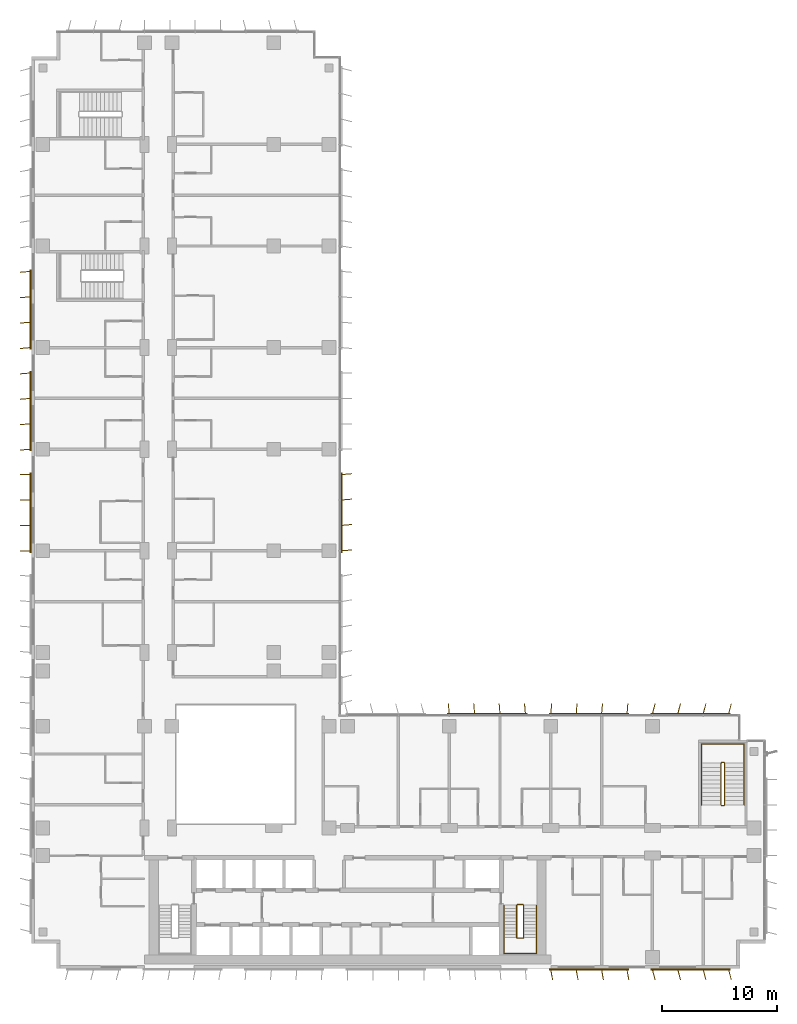
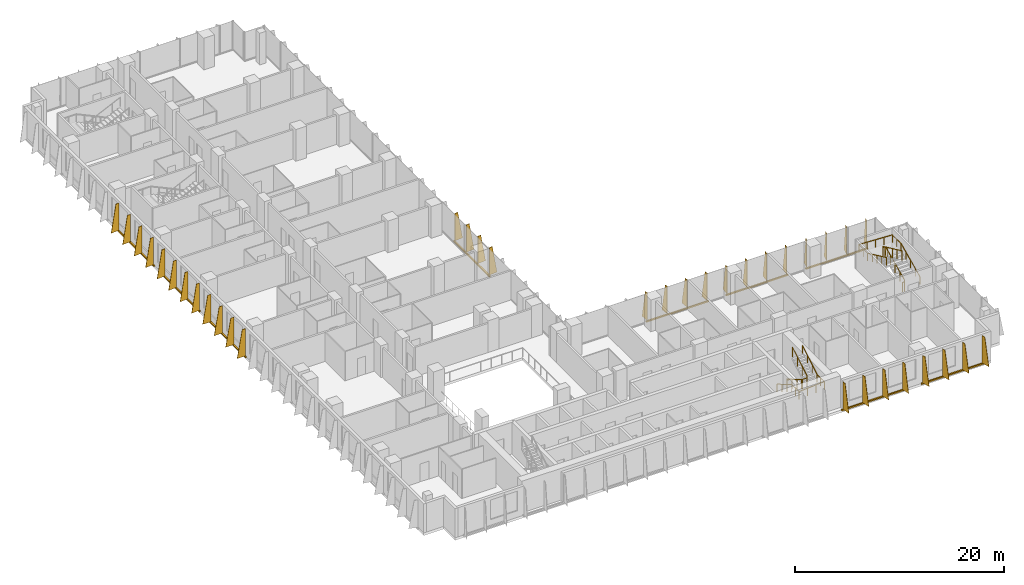
# One storey, part 21 of 23: 9 shading devices, 4 railings.
"""IFC4 building model written with IfcOpenShell, lengths in metres."""

from ifc_helpers import new_model, si_unit, direction, frame, origin, origin_2d, place, context, subcontext, project, spatial, polyline, rectangle, circle, outline, extrude, source, transform, mapped, material, layer, layer_set, type_object, element, save


model = new_model("IFC4")

# Units and contexts
model_context = context("Model", 3, precision=1e-05, world=origin(), true_north=direction((0.0, 1.0)))
body_context = subcontext(model_context, "Body", "Model", "MODEL_VIEW")
ifc_project = project(units=[si_unit("LENGTHUNIT", "METRE"), si_unit("AREAUNIT", "SQUARE_METRE"), si_unit("VOLUMEUNIT", "CUBIC_METRE"), si_unit("PLANEANGLEUNIT", "RADIAN"), si_unit("MASSUNIT", "GRAM", prefix="KILO")], contexts=[model_context])

# Site, building, storey
site_placement = place(None, origin())
site = spatial("IfcSite", under=ifc_project, at=site_placement, CompositionType="ELEMENT")
building_placement = place(site_placement, origin())
building = spatial("IfcBuilding", under=site, at=building_placement, Name="Kemantara Hotel Tower", CompositionType="ELEMENT")
storey_placement = place(building_placement, frame((0.0, 0.0, 114.800048828125)))
storey = spatial("IfcBuildingStorey", under=building, at=storey_placement, Name="L27", CompositionType="ELEMENT", Elevation=114.800048828125)

# Railings
ifc_material_1 = material(Name="Stainless steel balustrade", Category="steel")
railing_type_1 = type_object("IfcRailingType", Name="Stair guard 1100 mm", PredefinedType="GUARDRAIL", material=ifc_material_1)
railing_1_placement = place(storey_placement, frame((42.64990234375, 5.5, 3.699951171875)))
element("IfcRailing", 1, at=railing_1_placement, inside=storey, type_object=railing_type_1, Name="L27 ST2 stair guard 1", PredefinedType="GUARDRAIL", context=body_context, shape_type="SweptSolid", body=[
    extrude(circle(Radius=0.02392578125, at=origin_2d()), frame((0.0, 0.0, 1.076171875), z_axis=(0.0, -0.857242210791, -0.514913383045), x_axis=(1.0, 0.0, 0.0)), (0.0, 0.0, 1.0), 3.266357421875),
    extrude(circle(Radius=0.02392578125, at=origin_2d()), frame((0.0, -2.800048828125, -0.60595703125), z_axis=(-0.273006030465, -0.27434429532, -0.922064485248), x_axis=(0.708833529934, -0.705375805398, 0.0)), (0.0, 0.0, 1.0), 0.182373046875),
    extrude(circle(Radius=0.02392578125, at=origin_2d()), frame((-0.0498046875, -2.85009765625, -0.77392578125), z_axis=(-1.0, 0.0, 0.0), x_axis=(0.0, -1.0, 0.0)), (0.0, 0.0, 1.0), 0.5),
    extrude(circle(Radius=0.02392578125, at=origin_2d()), frame((-0.5498046875, -2.85009765625, -0.77392578125), z_axis=(-0.707106781187, 0.707106781187, 0.0), x_axis=(-0.707106781187, -0.707106781187, 0.0)), (0.0, 0.0, 1.0), 0.07080078125),
    extrude(circle(Radius=0.02392578125, at=origin_2d()), frame((-0.599853515625, -2.800048828125, -0.77392578125), z_axis=(0.0, 0.857275202839, -0.514858452973), x_axis=(-1.0, 0.0, 0.0)), (0.0, 0.0, 1.0), 3.26611328125),
    extrude(circle(Radius=0.02392578125, at=origin_2d()), frame((-0.599853515625, 0.0, -2.45556640625), z_axis=(0.274243871929, 0.274243871929, -0.92172696468), x_axis=(-0.707106781187, 0.707106781187, 0.0)), (0.0, 0.0, 1.0), 0.1826171875),
    extrude(circle(Radius=0.02392578125, at=origin_2d()), frame((-0.5498046875, 0.050048828125, -2.6240234375), z_axis=(1.0, 0.0, 0.0), x_axis=(0.0, 1.0, 0.0)), (0.0, 0.0, 1.0), 0.5),
    extrude(circle(Radius=0.02099609375, at=origin_2d()), origin(), (0.0, 0.0, 1.0), 1.052001953125),
    extrude(circle(Radius=0.02099609375, at=origin_2d()), frame((0.0, -0.933349609375, -0.560546875)), (0.0, 0.0, 1.0), 1.052001953125),
    extrude(circle(Radius=0.02099609375, at=origin_2d()), frame((0.0, -1.86669921875, -1.121337890625)), (0.0, 0.0, 1.0), 1.052001953125),
    extrude(circle(Radius=0.02099609375, at=origin_2d()), frame((0.0, -2.800048828125, -1.681884765625)), (0.0, 0.0, 1.0), 1.052001953125),
    extrude(circle(Radius=0.02099609375, at=origin_2d()), frame((-0.0498046875, -2.85009765625, -1.85009765625)), (0.0, 0.0, 1.0), 1.052001953125),
    extrude(circle(Radius=0.02099609375, at=origin_2d()), frame((-0.5498046875, -2.85009765625, -1.85009765625)), (0.0, 0.0, 1.0), 1.052001953125),
    extrude(circle(Radius=0.02099609375, at=origin_2d()), frame((-0.599853515625, -2.800048828125, -1.85009765625)), (0.0, 0.0, 1.0), 1.052001953125),
    extrude(circle(Radius=0.02099609375, at=origin_2d()), frame((-0.599853515625, -1.86669921875, -2.41064453125)), (0.0, 0.0, 1.0), 1.052001953125),
    extrude(circle(Radius=0.02099609375, at=origin_2d()), frame((-0.599853515625, -0.933349609375, -2.97119140625)), (0.0, 0.0, 1.0), 1.052001953125),
    extrude(circle(Radius=0.02099609375, at=origin_2d()), frame((-0.599853515625, 0.0, -3.53173828125)), (0.0, 0.0, 1.0), 1.052001953125),
    extrude(circle(Radius=0.02099609375, at=origin_2d()), frame((-0.5498046875, 0.050048828125, -3.699951171875)), (0.0, 0.0, 1.0), 1.052001953125),
    extrude(circle(Radius=0.02099609375, at=origin_2d()), frame((-0.0498046875, 0.050048828125, -3.699951171875)), (0.0, 0.0, 1.0), 1.052001953125),
])
railing_2_placement = place(storey_placement, frame((59.75, 14.199951171875, 3.699951171875)))
element("IfcRailing", 2, at=railing_2_placement, inside=storey, type_object=railing_type_1, Name="L27 ST3 stair guard 1", PredefinedType="GUARDRAIL", context=body_context, shape_type="SweptSolid", body=[
    extrude(circle(Radius=0.02392578125, at=origin_2d()), frame((0.0, 0.0, 1.076171875), z_axis=(0.0, 0.906005689286, -0.423265508849), x_axis=(-1.0, 0.0, 0.0)), (0.0, 0.0, 1.0), 3.9736328125),
    extrude(circle(Radius=0.02392578125, at=origin_2d()), frame((0.0, 3.60009765625, -0.60595703125), z_axis=(0.274243871929, 0.274243871929, -0.92172696468), x_axis=(-0.707106781187, 0.707106781187, 0.0)), (0.0, 0.0, 1.0), 0.1826171875),
    extrude(circle(Radius=0.02392578125, at=origin_2d()), frame((0.050048828125, 3.650146484375, -0.77392578125), z_axis=(1.0, 0.0, 0.0), x_axis=(0.0, 1.0, 0.0)), (0.0, 0.0, 1.0), 0.199951171875),
    extrude(circle(Radius=0.02392578125, at=origin_2d()), frame((0.25, 3.650146484375, -0.77392578125), z_axis=(0.707106781187, -0.707106781187, 0.0), x_axis=(0.707106781187, 0.707106781187, 0.0)), (0.0, 0.0, 1.0), 0.07080078125),
    extrude(circle(Radius=0.02392578125, at=origin_2d()), frame((0.300048828125, 3.60009765625, -0.77392578125), z_axis=(0.0, -0.906029249863, -0.423215073447), x_axis=(1.0, 0.0, 0.0)), (0.0, 0.0, 1.0), 3.973388671875),
    extrude(circle(Radius=0.02392578125, at=origin_2d()), frame((0.300048828125, 0.0, -2.45556640625), z_axis=(-0.274243871929, -0.274243871929, -0.92172696468), x_axis=(0.707106781187, -0.707106781187, 0.0)), (0.0, 0.0, 1.0), 0.1826171875),
    extrude(circle(Radius=0.02392578125, at=origin_2d()), frame((0.25, -0.050048828125, -2.6240234375), z_axis=(-1.0, 0.0, 0.0), x_axis=(0.0, -1.0, 0.0)), (0.0, 0.0, 1.0), 0.199951171875),
    extrude(circle(Radius=0.02099609375, at=origin_2d()), origin(), (0.0, 0.0, 1.0), 1.052001953125),
    extrude(circle(Radius=0.02099609375, at=origin_2d()), frame((0.0, 0.89990234375, -0.42041015625)), (0.0, 0.0, 1.0), 1.052001953125),
    extrude(circle(Radius=0.02099609375, at=origin_2d()), frame((0.0, 1.800048828125, -0.8408203125)), (0.0, 0.0, 1.0), 1.052001953125),
    extrude(circle(Radius=0.02099609375, at=origin_2d()), frame((0.0, 2.7001953125, -1.261474609375)), (0.0, 0.0, 1.0), 1.052001953125),
    extrude(circle(Radius=0.02099609375, at=origin_2d()), frame((0.0, 3.60009765625, -1.681884765625)), (0.0, 0.0, 1.0), 1.052001953125),
    extrude(circle(Radius=0.02099609375, at=origin_2d()), frame((0.050048828125, 3.650146484375, -1.85009765625)), (0.0, 0.0, 1.0), 1.052001953125),
    extrude(circle(Radius=0.02099609375, at=origin_2d()), frame((0.25, 3.650146484375, -1.85009765625)), (0.0, 0.0, 1.0), 1.052001953125),
    extrude(circle(Radius=0.02099609375, at=origin_2d()), frame((0.300048828125, 3.60009765625, -1.85009765625)), (0.0, 0.0, 1.0), 1.052001953125),
    extrude(circle(Radius=0.02099609375, at=origin_2d()), frame((0.300048828125, 2.7001953125, -2.2705078125)), (0.0, 0.0, 1.0), 1.052001953125),
    extrude(circle(Radius=0.02099609375, at=origin_2d()), frame((0.300048828125, 1.800048828125, -2.69091796875)), (0.0, 0.0, 1.0), 1.052001953125),
    extrude(circle(Radius=0.02099609375, at=origin_2d()), frame((0.300048828125, 0.89990234375, -3.111328125)), (0.0, 0.0, 1.0), 1.052001953125),
    extrude(circle(Radius=0.02099609375, at=origin_2d()), frame((0.300048828125, 0.0, -3.53173828125)), (0.0, 0.0, 1.0), 1.052001953125),
    extrude(circle(Radius=0.02099609375, at=origin_2d()), frame((0.25, -0.050048828125, -3.699951171875)), (0.0, 0.0, 1.0), 1.052001953125),
    extrude(circle(Radius=0.02099609375, at=origin_2d()), frame((0.050048828125, -0.050048828125, -3.699951171875)), (0.0, 0.0, 1.0), 1.052001953125),
])
railing_type_2 = type_object("IfcRailingType", Name="Stair handrail 900 mm", PredefinedType="HANDRAIL", material=ifc_material_1)
railing_3_placement = place(storey_placement, frame((40.949951171875, 5.5, 0.168212890625)))
element("IfcRailing", 3, at=railing_3_placement, inside=storey, type_object=railing_type_2, Name="L27 ST2 stair handrail 1", PredefinedType="HANDRAIL", context=body_context, shape_type="SweptSolid", body=[
    extrude(circle(Radius=0.02392578125, at=origin_2d()), frame((0.0, 0.0, 0.8759765625), z_axis=(0.0, -0.857275202839, 0.514858452973), x_axis=(1.0, 0.0, 0.0)), (0.0, 0.0, 1.0), 3.26611328125),
    extrude(circle(Radius=0.02392578125, at=origin_2d()), frame((0.0, -2.800048828125, 2.5576171875), z_axis=(0.0, -1.0, 0.0), x_axis=(1.0, 0.0, 0.0)), (0.0, 0.0, 1.0), 1.3798828125),
    extrude(circle(Radius=0.02392578125, at=origin_2d()), frame((0.0, -4.179931640625, 2.5576171875), z_axis=(0.998200367801, 0.0, 0.059966871865), x_axis=(0.0, 1.0, 0.0)), (0.0, 0.0, 1.0), 2.80517578125),
    extrude(circle(Radius=0.02392578125, at=origin_2d()), frame((2.800048828125, -4.179931640625, 2.7255859375), z_axis=(0.0, 1.0, 0.0), x_axis=(-1.0, 0.0, 0.0)), (0.0, 0.0, 1.0), 1.3798828125),
    extrude(circle(Radius=0.02392578125, at=origin_2d()), frame((2.800048828125, -2.800048828125, 2.7255859375), z_axis=(0.0, 0.857242210791, 0.514913383045), x_axis=(-1.0, 0.0, 0.0)), (0.0, 0.0, 1.0), 3.266357421875),
    extrude(circle(Radius=0.02099609375, at=origin_2d()), origin(), (0.0, 0.0, 1.0), 0.851806640625),
    extrude(circle(Radius=0.02099609375, at=origin_2d()), frame((0.0, -0.933349609375, 0.560546875)), (0.0, 0.0, 1.0), 0.851806640625),
    extrude(circle(Radius=0.02099609375, at=origin_2d()), frame((0.0, -1.86669921875, 1.12109375)), (0.0, 0.0, 1.0), 0.851806640625),
    extrude(circle(Radius=0.02099609375, at=origin_2d()), frame((0.0, -2.800048828125, 1.681640625)), (0.0, 0.0, 1.0), 0.851806640625),
    extrude(circle(Radius=0.02099609375, at=origin_2d()), frame((0.0, -3.489990234375, 1.681640625)), (0.0, 0.0, 1.0), 0.851806640625),
    extrude(circle(Radius=0.02099609375, at=origin_2d()), frame((0.0, -4.179931640625, 1.681640625)), (0.0, 0.0, 1.0), 0.851806640625),
    extrude(circle(Radius=0.02099609375, at=origin_2d()), frame((0.933349609375, -4.179931640625, 1.73779296875)), (0.0, 0.0, 1.0), 0.851806640625),
    extrude(circle(Radius=0.02099609375, at=origin_2d()), frame((1.86669921875, -4.179931640625, 1.793701171875)), (0.0, 0.0, 1.0), 0.851806640625),
    extrude(circle(Radius=0.02099609375, at=origin_2d()), frame((2.800048828125, -4.179931640625, 1.849853515625)), (0.0, 0.0, 1.0), 0.851806640625),
    extrude(circle(Radius=0.02099609375, at=origin_2d()), frame((2.800048828125, -3.489990234375, 1.849853515625)), (0.0, 0.0, 1.0), 0.851806640625),
    extrude(circle(Radius=0.02099609375, at=origin_2d()), frame((2.800048828125, -2.800048828125, 1.849853515625)), (0.0, 0.0, 1.0), 0.851806640625),
    extrude(circle(Radius=0.02099609375, at=origin_2d()), frame((2.800048828125, -1.86669921875, 2.410400390625)), (0.0, 0.0, 1.0), 0.851806640625),
    extrude(circle(Radius=0.02099609375, at=origin_2d()), frame((2.800048828125, -0.933349609375, 2.97119140625)), (0.0, 0.0, 1.0), 0.851806640625),
    extrude(circle(Radius=0.02099609375, at=origin_2d()), frame((2.800048828125, 0.0, 3.53173828125)), (0.0, 0.0, 1.0), 0.851806640625),
])
railing_4_placement = place(storey_placement, frame((61.75, 14.199951171875, 0.168212890625)))
element("IfcRailing", 4, at=railing_4_placement, inside=storey, type_object=railing_type_2, Name="L27 ST3 stair handrail 1", PredefinedType="HANDRAIL", context=body_context, shape_type="SweptSolid", body=[
    extrude(circle(Radius=0.02392578125, at=origin_2d()), frame((0.0, 0.0, 0.8759765625), z_axis=(0.0, 0.906029249863, 0.423215073447), x_axis=(-1.0, 0.0, 0.0)), (0.0, 0.0, 1.0), 3.973388671875),
    extrude(circle(Radius=0.02392578125, at=origin_2d()), frame((0.0, 3.60009765625, 2.5576171875), z_axis=(0.0, 1.0, 0.0), x_axis=(-1.0, 0.0, 0.0)), (0.0, 0.0, 1.0), 1.679931640625),
    extrude(circle(Radius=0.02392578125, at=origin_2d()), frame((0.0, 5.280029296875, 2.5576171875), z_axis=(-0.998968132438, 0.0, 0.045416631029), x_axis=(0.0, -1.0, 0.0)), (0.0, 0.0, 1.0), 3.703857421875),
    extrude(circle(Radius=0.02392578125, at=origin_2d()), frame((-3.699951171875, 5.280029296875, 2.7255859375), z_axis=(0.0, -1.0, 0.0), x_axis=(1.0, 0.0, 0.0)), (0.0, 0.0, 1.0), 1.679931640625),
    extrude(circle(Radius=0.02392578125, at=origin_2d()), frame((-3.699951171875, 3.60009765625, 2.7255859375), z_axis=(0.0, -0.906005689286, 0.423265508849), x_axis=(1.0, 0.0, 0.0)), (0.0, 0.0, 1.0), 3.9736328125),
    extrude(circle(Radius=0.02099609375, at=origin_2d()), origin(), (0.0, 0.0, 1.0), 0.851806640625),
    extrude(circle(Radius=0.02099609375, at=origin_2d()), frame((0.0, 0.89990234375, 0.42041015625)), (0.0, 0.0, 1.0), 0.851806640625),
    extrude(circle(Radius=0.02099609375, at=origin_2d()), frame((0.0, 1.800048828125, 0.8408203125)), (0.0, 0.0, 1.0), 0.851806640625),
    extrude(circle(Radius=0.02099609375, at=origin_2d()), frame((0.0, 2.7001953125, 1.26123046875)), (0.0, 0.0, 1.0), 0.851806640625),
    extrude(circle(Radius=0.02099609375, at=origin_2d()), frame((0.0, 3.60009765625, 1.681640625)), (0.0, 0.0, 1.0), 0.851806640625),
    extrude(circle(Radius=0.02099609375, at=origin_2d()), frame((0.0, 4.43994140625, 1.681640625)), (0.0, 0.0, 1.0), 0.851806640625),
    extrude(circle(Radius=0.02099609375, at=origin_2d()), frame((0.0, 5.280029296875, 1.681640625)), (0.0, 0.0, 1.0), 0.851806640625),
    extrude(circle(Radius=0.02099609375, at=origin_2d()), frame((-0.925048828125, 5.280029296875, 1.7236328125)), (0.0, 0.0, 1.0), 0.851806640625),
    extrude(circle(Radius=0.02099609375, at=origin_2d()), frame((-1.85009765625, 5.280029296875, 1.765625)), (0.0, 0.0, 1.0), 0.851806640625),
    extrude(circle(Radius=0.02099609375, at=origin_2d()), frame((-2.77490234375, 5.280029296875, 1.807861328125)), (0.0, 0.0, 1.0), 0.851806640625),
    extrude(circle(Radius=0.02099609375, at=origin_2d()), frame((-3.699951171875, 5.280029296875, 1.849853515625)), (0.0, 0.0, 1.0), 0.851806640625),
    extrude(circle(Radius=0.02099609375, at=origin_2d()), frame((-3.699951171875, 4.43994140625, 1.849853515625)), (0.0, 0.0, 1.0), 0.851806640625),
    extrude(circle(Radius=0.02099609375, at=origin_2d()), frame((-3.699951171875, 3.60009765625, 1.849853515625)), (0.0, 0.0, 1.0), 0.851806640625),
    extrude(circle(Radius=0.02099609375, at=origin_2d()), frame((-3.699951171875, 2.7001953125, 2.270263671875)), (0.0, 0.0, 1.0), 0.851806640625),
    extrude(circle(Radius=0.02099609375, at=origin_2d()), frame((-3.699951171875, 1.800048828125, 2.69091796875)), (0.0, 0.0, 1.0), 0.851806640625),
    extrude(circle(Radius=0.02099609375, at=origin_2d()), frame((-3.699951171875, 0.89990234375, 3.111328125)), (0.0, 0.0, 1.0), 0.851806640625),
    extrude(circle(Radius=0.02099609375, at=origin_2d()), frame((-3.699951171875, 0.0, 3.53173828125)), (0.0, 0.0, 1.0), 0.851806640625),
])

# Shading devices
ifc_material_2 = material(Name="Perforated aluminium plate 4 mm bronze anodised", Category="aluminium")
ifc_layer_1 = layer(ifc_material_2, 0.0400390625)
ifc_layer_set_1 = layer_set([ifc_layer_1], Name="Perforated aluminium plate 4 mm bronze anodised")
shading_device_type_1 = type_object("IfcShadingDeviceType", Name="SCREEN FIN CASSETTE, 4 BLADES AT -5.0 DEG, 3200 HIGH", PredefinedType="USERDEFINED", material=ifc_layer_set_1)
shared_shape_1 = source(origin(), body_context, "Body", "SweptSolid", [
    extrude(rectangle(XDim=6.89990234375, YDim=0.14990234375, at=origin_2d()), frame((3.300048828125, -0.074951171875, -0.14990234375), z_axis=(0.0, 0.0, 1.0), x_axis=(1.0, 0.0, 0.0)), (0.0, 0.0, 1.0), 0.14990234375),
    extrude(outline(polyline([(0.0, 0.0), (0.89990234375, 0.0), (0.35009765625, 3.199951171875), (0.0, 3.199951171875), (0.0, 0.0)])), frame((0.02001953125, -0.07666015625, 0.0), z_axis=(-0.996376129781, 0.085056498884, 0.0), x_axis=(-0.085056498884, -0.996376129781, 0.0)), (0.0, 0.0, 1.0), 0.040283203125),
    extrude(outline(polyline([(0.0, 0.0), (0.89990234375, 0.0), (0.35009765625, 3.199951171875), (0.0, 3.199951171875), (0.0, 0.0)])), frame((2.219970703125, -0.07666015625, 0.0), z_axis=(-0.996331773833, 0.085574508182, 0.0), x_axis=(-0.085574508182, -0.996331773833, 0.0)), (0.0, 0.0, 1.0), 0.0400390625),
    extrude(outline(polyline([(0.0, 0.0), (0.89990234375, 0.0), (0.35009765625, 3.199951171875), (0.0, 3.199951171875), (0.0, 0.0)])), frame((4.419921875, -0.07666015625, 0.0), z_axis=(-0.996331773833, 0.085574508182, 0.0), x_axis=(-0.085574508182, -0.996331773833, 0.0)), (0.0, 0.0, 1.0), 0.0400390625),
    extrude(outline(polyline([(0.0, 0.0), (0.89990234375, 0.0), (0.35009765625, 3.199951171875), (0.0, 3.199951171875), (0.0, 0.0)])), frame((6.619873046875, -0.07666015625, 0.0), z_axis=(-0.996331773833, 0.085574508182, 0.0), x_axis=(-0.085574508182, -0.996331773833, 0.0)), (0.0, 0.0, 1.0), 0.0400390625),
])
shading_device_1_placement = place(storey_placement, frame((51.60009765625, 22.0, 0.099853515625), z_axis=(0.0, 0.0, 1.0), x_axis=(-1.0, 0.0, 0.0)))
element("IfcShadingDevice", 5, at=shading_device_1_placement, inside=storey, type_object=shading_device_type_1, Name="SCREEN FIN CASSETTE L27 T2-R13-2", ObjectType="SCREEN FIN", PredefinedType="USERDEFINED", context=body_context, shape_type="MappedRepresentation", body=[
    mapped(shared_shape_1, transform((0.0, 0.0, 0.0))),
])
ifc_layer_2 = layer(ifc_material_2, 0.0400390625)
ifc_layer_set_2 = layer_set([ifc_layer_2], Name="Perforated aluminium plate 4 mm bronze anodised")
shading_device_type_2 = type_object("IfcShadingDeviceType", Name="SCREEN FIN CASSETTE, 4 BLADES AT +0.0 DEG, 3200 HIGH", PredefinedType="USERDEFINED", material=ifc_layer_set_2)
shared_shape_2 = source(origin(), body_context, "Body", "SweptSolid", [
    extrude(rectangle(XDim=6.89990234375, YDim=0.14990234375, at=origin_2d()), frame((3.300048828125, -0.074951171875, -0.14990234375), z_axis=(0.0, 0.0, 1.0), x_axis=(1.0, 0.0, 0.0)), (0.0, 0.0, 1.0), 0.14990234375),
    extrude(outline(polyline([(0.0, 0.0), (0.89990234375, 0.0), (0.35009765625, 3.199951171875), (0.0, 3.199951171875), (0.0, 0.0)])), frame((0.02001953125, -0.074951171875, 0.0), z_axis=(-1.0, 0.0, 0.0), x_axis=(0.0, -1.0, 0.0)), (0.0, 0.0, 1.0), 0.0400390625),
    extrude(outline(polyline([(0.0, 0.0), (0.89990234375, 0.0), (0.35009765625, 3.199951171875), (0.0, 3.199951171875), (0.0, 0.0)])), frame((2.219970703125, -0.074951171875, 0.0), z_axis=(-1.0, 0.0, 0.0), x_axis=(0.0, -1.0, 0.0)), (0.0, 0.0, 1.0), 0.0400390625),
    extrude(outline(polyline([(0.0, 0.0), (0.89990234375, 0.0), (0.35009765625, 3.199951171875), (0.0, 3.199951171875), (0.0, 0.0)])), frame((4.419921875, -0.074951171875, 0.0), z_axis=(-1.0, 0.0, 0.0), x_axis=(0.0, -1.0, 0.0)), (0.0, 0.0, 1.0), 0.0400390625),
    extrude(outline(polyline([(0.0, 0.0), (0.89990234375, 0.0), (0.35009765625, 3.199951171875), (0.0, 3.199951171875), (0.0, 0.0)])), frame((6.6201171875, -0.074951171875, 0.0), z_axis=(-1.0, 0.0, 0.0), x_axis=(0.0, -1.0, 0.0)), (0.0, 0.0, 1.0), 0.0400390625),
])
shading_device_2_placement = place(storey_placement, frame((0.0, 42.800048828125, 0.099853515625), z_axis=(0.0, 0.0, 1.0), x_axis=(0.0, -1.0, 0.0)))
element("IfcShadingDevice", 6, at=shading_device_2_placement, inside=storey, type_object=shading_device_type_2, Name="SCREEN FIN CASSETTE L27 T2-R04-5", ObjectType="SCREEN FIN", PredefinedType="USERDEFINED", context=body_context, shape_type="MappedRepresentation", body=[
    mapped(shared_shape_2, transform((0.0, 0.0, 0.0))),
])
ifc_layer_3 = layer(ifc_material_2, 0.0400390625)
ifc_layer_set_3 = layer_set([ifc_layer_3], Name="Perforated aluminium plate 4 mm bronze anodised")
shading_device_type_3 = type_object("IfcShadingDeviceType", Name="SCREEN FIN CASSETTE, 4 BLADES AT +5.0 DEG, 3200 HIGH", PredefinedType="USERDEFINED", material=ifc_layer_set_3)
shared_shape_3 = source(origin(), body_context, "Body", "SweptSolid", [
    extrude(rectangle(XDim=6.89990234375, YDim=0.14990234375, at=origin_2d()), frame((3.300048828125, -0.074951171875, -0.14990234375), z_axis=(0.0, 0.0, 1.0), x_axis=(1.0, 0.0, 0.0)), (0.0, 0.0, 1.0), 0.14990234375),
    extrude(outline(polyline([(0.0, 0.0), (0.89990234375, 0.0), (0.35009765625, 3.199951171875), (0.0, 3.199951171875), (0.0, 0.0)])), frame((0.02001953125, -0.0732421875, 0.0), z_axis=(-0.996376129781, -0.085056498884, 0.0), x_axis=(0.085056498884, -0.996376129781, 0.0)), (0.0, 0.0, 1.0), 0.040283203125),
    extrude(outline(polyline([(0.0, 0.0), (0.89990234375, 0.0), (0.35009765625, 3.199951171875), (0.0, 3.199951171875), (0.0, 0.0)])), frame((2.219970703125, -0.0732421875, 0.0), z_axis=(-0.996331773833, -0.085574508182, 0.0), x_axis=(0.085574508182, -0.996331773833, 0.0)), (0.0, 0.0, 1.0), 0.0400390625),
    extrude(outline(polyline([(0.0, 0.0), (0.89990234375, 0.0), (0.35009765625, 3.199951171875), (0.0, 3.199951171875), (0.0, 0.0)])), frame((4.419921875, -0.0732421875, 0.0), z_axis=(-0.996331773833, -0.085574508182, 0.0), x_axis=(0.085574508182, -0.996331773833, 0.0)), (0.0, 0.0, 1.0), 0.0400390625),
    extrude(outline(polyline([(0.0, 0.0), (0.89990234375, 0.0), (0.35009765625, 3.199951171875), (0.0, 3.199951171875), (0.0, 0.0)])), frame((6.619873046875, -0.0732421875, 0.0), z_axis=(-0.996331773833, -0.085574508182, 0.0), x_axis=(0.085574508182, -0.996331773833, 0.0)), (0.0, 0.0, 1.0), 0.0400390625),
])
for number, where, z_axis, x_axis, name in (
    (7, (0.0, 60.39990234375, 0.099853515625), (0.0, 0.0, 1.0), (0.0, -1.0, 0.0), "SCREEN FIN CASSETTE L27 T2-R04-3"),
    (8, (0.0, 51.60009765625, 0.099853515625), (0.0, 0.0, 1.0), (0.0, -1.0, 0.0), "SCREEN FIN CASSETTE L27 T2-R04-4"),
    (9, (42.800048828125, 22.0, 0.099853515625), (0.0, 0.0, 1.0), (-1.0, 0.0, 0.0), "SCREEN FIN CASSETTE L27 T2-R13-3"),
    (10, (26.800048828125, 36.199951171875, 0.099853515625), (0.0, 0.0, 1.0), (0.0, 1.0, 0.0), "SCREEN FIN CASSETTE L27 T2-R14-3"),
):
    element("IfcShadingDevice", number, at=place(storey_placement, frame(where, z_axis=z_axis, x_axis=x_axis)), inside=storey, type_object=shading_device_type_3, Name=name, ObjectType="SCREEN FIN", PredefinedType="USERDEFINED", context=body_context, shape_type="MappedRepresentation", body=[
        mapped(shared_shape_3, transform((0.0, 0.0, 0.0))),
    ])
ifc_layer_4 = layer(ifc_material_2, 0.0400390625)
ifc_layer_set_4 = layer_set([ifc_layer_4], Name="Perforated aluminium plate 4 mm bronze anodised")
shading_device_type_4 = type_object("IfcShadingDeviceType", Name="SCREEN FIN CASSETTE, 4 BLADES AT +10.0 DEG, 3200 HIGH", PredefinedType="USERDEFINED", material=ifc_layer_set_4)
shared_shape_4 = source(origin(), body_context, "Body", "SweptSolid", [
    extrude(rectangle(XDim=6.89990234375, YDim=0.14990234375, at=origin_2d()), frame((3.300048828125, -0.074951171875, -0.14990234375), z_axis=(0.0, 0.0, 1.0), x_axis=(1.0, 0.0, 0.0)), (0.0, 0.0, 1.0), 0.14990234375),
    extrude(outline(polyline([(0.0, 0.0), (0.89990234375, 0.0), (0.35009765625, 3.199951171875), (0.0, 3.199951171875), (0.0, 0.0)])), frame((0.019775390625, -0.071533203125, 0.0), z_axis=(-0.985389793052, -0.170314285219, 0.0), x_axis=(0.170314285219, -0.985389793052, 0.0)), (0.0, 0.0, 1.0), 0.0400390625),
    extrude(outline(polyline([(0.0, 0.0), (0.89990234375, 0.0), (0.35009765625, 3.199951171875), (0.0, 3.199951171875), (0.0, 0.0)])), frame((2.2197265625, -0.071533203125, 0.0), z_axis=(-0.98521175482, -0.171341174751, 0.0), x_axis=(0.171341174751, -0.98521175482, 0.0)), (0.0, 0.0, 1.0), 0.039794921875),
    extrude(outline(polyline([(0.0, 0.0), (0.89990234375, 0.0), (0.35009765625, 3.199951171875), (0.0, 3.199951171875), (0.0, 0.0)])), frame((4.419677734375, -0.071533203125, 0.0), z_axis=(-0.98521175482, -0.171341174751, 0.0), x_axis=(0.171341174751, -0.98521175482, 0.0)), (0.0, 0.0, 1.0), 0.039794921875),
    extrude(outline(polyline([(0.0, 0.0), (0.89990234375, 0.0), (0.35009765625, 3.199951171875), (0.0, 3.199951171875), (0.0, 0.0)])), frame((6.61962890625, -0.071533203125, 0.0), z_axis=(-0.98521175482, -0.171341174751, 0.0), x_axis=(0.171341174751, -0.98521175482, 0.0)), (0.0, 0.0, 1.0), 0.039794921875),
])
shading_device_3_placement = place(storey_placement, frame((45.0, 0.0, 0.099853515625), z_axis=(0.0, 0.0, 1.0), x_axis=(1.0, 0.0, 0.0)))
element("IfcShadingDevice", 11, at=shading_device_3_placement, inside=storey, type_object=shading_device_type_4, Name="SCREEN FIN CASSETTE L27 T2-R07-6", ObjectType="SCREEN FIN", PredefinedType="USERDEFINED", context=body_context, shape_type="MappedRepresentation", body=[
    mapped(shared_shape_4, transform((0.0, 0.0, 0.0))),
])
ifc_layer_5 = layer(ifc_material_2, 0.0400390625)
ifc_layer_set_5 = layer_set([ifc_layer_5], Name="Perforated aluminium plate 4 mm bronze anodised")
shading_device_type_5 = type_object("IfcShadingDeviceType", Name="SCREEN FIN CASSETTE, 4 BLADES AT +15.0 DEG, 3200 HIGH", PredefinedType="USERDEFINED", material=ifc_layer_set_5)
shared_shape_5 = source(origin(), body_context, "Body", "SweptSolid", [
    extrude(rectangle(XDim=6.89990234375, YDim=0.14990234375, at=origin_2d()), frame((3.300048828125, -0.074951171875, -0.14990234375), z_axis=(0.0, 0.0, 1.0), x_axis=(1.0, 0.0, 0.0)), (0.0, 0.0, 1.0), 0.14990234375),
    extrude(outline(polyline([(0.0, 0.0), (0.89990234375, 0.0), (0.35009765625, 3.199951171875), (0.0, 3.199951171875), (0.0, 0.0)])), frame((0.019287109375, -0.06982421875, 0.0), z_axis=(-0.966437683387, -0.256901156343, 0.0), x_axis=(0.256901156343, -0.966437683387, 0.0)), (0.0, 0.0, 1.0), 0.039794921875),
    extrude(outline(polyline([(0.0, 0.0), (0.89990234375, 0.0), (0.35009765625, 3.199951171875), (0.0, 3.199951171875), (0.0, 0.0)])), frame((2.21923828125, -0.06982421875, 0.0), z_axis=(-0.966437683387, -0.256901156343, 0.0), x_axis=(0.256901156343, -0.966437683387, 0.0)), (0.0, 0.0, 1.0), 0.039794921875),
    extrude(outline(polyline([(0.0, 0.0), (0.89990234375, 0.0), (0.35009765625, 3.199951171875), (0.0, 3.199951171875), (0.0, 0.0)])), frame((4.41943359375, -0.06982421875, 0.0), z_axis=(-0.966837822169, -0.255391122837, 0.0), x_axis=(0.255391122837, -0.966837822169, 0.0)), (0.0, 0.0, 1.0), 0.0400390625),
    extrude(outline(polyline([(0.0, 0.0), (0.89990234375, 0.0), (0.35009765625, 3.199951171875), (0.0, 3.199951171875), (0.0, 0.0)])), frame((6.619384765625, -0.06982421875, 0.0), z_axis=(-0.966837822169, -0.255391122837, 0.0), x_axis=(0.255391122837, -0.966837822169, 0.0)), (0.0, 0.0, 1.0), 0.0400390625),
])
shading_device_4_placement = place(storey_placement, frame((53.800048828125, 0.0, 0.099853515625), z_axis=(0.0, 0.0, 1.0), x_axis=(1.0, 0.0, 0.0)))
element("IfcShadingDevice", 12, at=shading_device_4_placement, inside=storey, type_object=shading_device_type_5, Name="SCREEN FIN CASSETTE L27 T2-R07-7", ObjectType="SCREEN FIN", PredefinedType="USERDEFINED", context=body_context, shape_type="MappedRepresentation", body=[
    mapped(shared_shape_5, transform((0.0, 0.0, 0.0))),
])
ifc_layer_6 = layer(ifc_material_2, 0.0400390625)
ifc_layer_set_6 = layer_set([ifc_layer_6], Name="Perforated aluminium plate 4 mm bronze anodised")
shading_device_type_6 = type_object("IfcShadingDeviceType", Name="SCREEN FIN CASSETTE, 4 BLADES AT -15.0 DEG, 3200 HIGH", PredefinedType="USERDEFINED", material=ifc_layer_set_6)
shared_shape_6 = source(origin(), body_context, "Body", "SweptSolid", [
    extrude(rectangle(XDim=6.89990234375, YDim=0.14990234375, at=origin_2d()), frame((3.300048828125, -0.074951171875, -0.14990234375), z_axis=(0.0, 0.0, 1.0), x_axis=(1.0, 0.0, 0.0)), (0.0, 0.0, 1.0), 0.14990234375),
    extrude(outline(polyline([(0.0, 0.0), (0.89990234375, 0.0), (0.35009765625, 3.199951171875), (0.0, 3.199951171875), (0.0, 0.0)])), frame((0.019287109375, -0.080078125, 0.0), z_axis=(-0.966437683387, 0.256901156343, 0.0), x_axis=(-0.256901156343, -0.966437683387, 0.0)), (0.0, 0.0, 1.0), 0.039794921875),
    extrude(outline(polyline([(0.0, 0.0), (0.89990234375, 0.0), (0.35009765625, 3.199951171875), (0.0, 3.199951171875), (0.0, 0.0)])), frame((2.21923828125, -0.080078125, 0.0), z_axis=(-0.966437683387, 0.256901156343, 0.0), x_axis=(-0.256901156343, -0.966437683387, 0.0)), (0.0, 0.0, 1.0), 0.039794921875),
    extrude(outline(polyline([(0.0, 0.0), (0.89990234375, 0.0), (0.35009765625, 3.199951171875), (0.0, 3.199951171875), (0.0, 0.0)])), frame((4.41943359375, -0.080078125, 0.0), z_axis=(-0.966837822169, 0.255391122837, 0.0), x_axis=(-0.255391122837, -0.966837822169, 0.0)), (0.0, 0.0, 1.0), 0.0400390625),
    extrude(outline(polyline([(0.0, 0.0), (0.89990234375, 0.0), (0.35009765625, 3.199951171875), (0.0, 3.199951171875), (0.0, 0.0)])), frame((6.619384765625, -0.080078125, 0.0), z_axis=(-0.966837822169, 0.255391122837, 0.0), x_axis=(-0.255391122837, -0.966837822169, 0.0)), (0.0, 0.0, 1.0), 0.0400390625),
])
shading_device_5_placement = place(storey_placement, frame((60.39990234375, 22.0, 0.099853515625), z_axis=(0.0, 0.0, 1.0), x_axis=(-1.0, 0.0, 0.0)))
element("IfcShadingDevice", 13, at=shading_device_5_placement, inside=storey, type_object=shading_device_type_6, Name="SCREEN FIN CASSETTE L27 T2-R13-1", ObjectType="SCREEN FIN", PredefinedType="USERDEFINED", context=body_context, shape_type="MappedRepresentation", body=[
    mapped(shared_shape_6, transform((0.0, 0.0, 0.0))),
])

save(model, "model.ifc")
